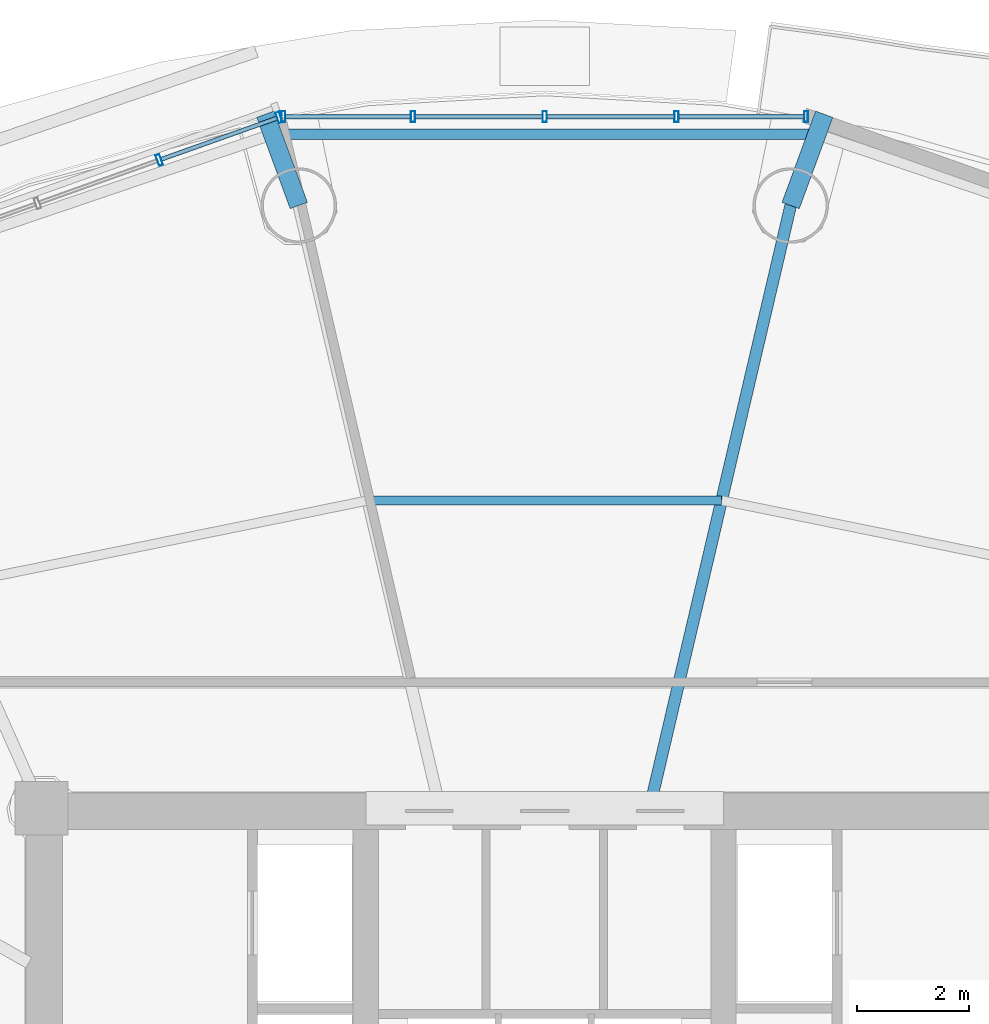
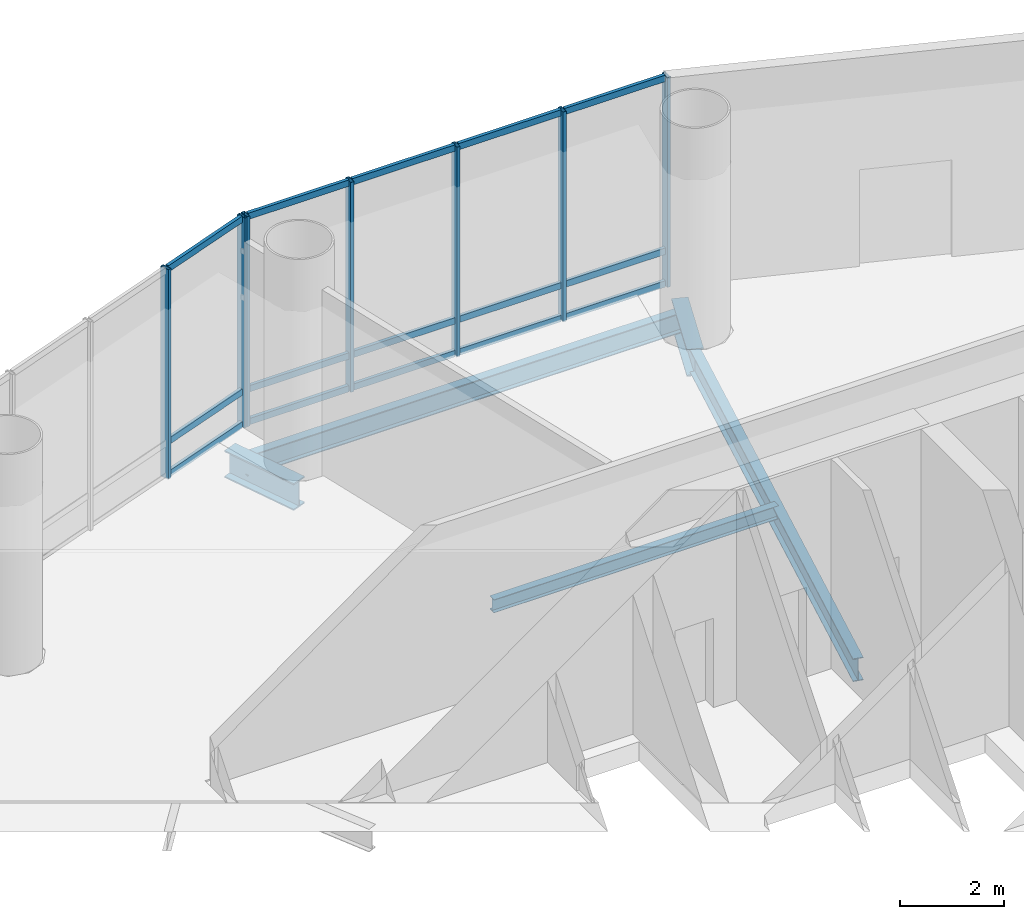
# One storey, part 16 of 29: 22 members, 5 beams, 2 elements without a shape of their own.
"""IFC4 building model written with IfcOpenShell, lengths in metres."""

from ifc_helpers import new_model, si_unit, direction, frame, origin, origin_2d, place, context, subcontext, project, spatial, hollow_rectangle, i_section, extrude, source, transform, mapped, material, material_profile, profile_set, type_object, element, aggregate, save


model = new_model("IFC4")

# Units and contexts
model_context = context("Model", 3, precision=1e-05, world=origin(), true_north=direction((-0.2419218956, 0.970295726276)))
body_context = subcontext(model_context, "Body", "Model", "MODEL_VIEW")
ifc_project = project(units=[si_unit("LENGTHUNIT", "METRE"), si_unit("AREAUNIT", "SQUARE_METRE"), si_unit("VOLUMEUNIT", "CUBIC_METRE"), si_unit("PLANEANGLEUNIT", "RADIAN"), si_unit("MASSUNIT", "GRAM", prefix="KILO")], contexts=[model_context])

# Site, building, storey
site_placement = place(None, origin())
site = spatial("IfcSite", under=ifc_project, at=site_placement, CompositionType="ELEMENT")
building_placement = place(site_placement, origin())
building = spatial("IfcBuilding", under=site, at=building_placement, Name="Cobrevalo Terracotta Tower", CompositionType="ELEMENT")
storey_placement = place(building_placement, frame((0.0, 0.0, 130.199951171875)))
storey = spatial("IfcBuildingStorey", under=building, at=storey_placement, Name="L34", CompositionType="ELEMENT", Elevation=130.199951171875)

# Beams
ifc_material_1 = material(Name="Steel S355", Category="steel")
ifc_material_profile_1 = material_profile(ifc_material_1, i_section(OverallWidth=0.2109375, OverallDepth=0.5390625, WebThickness=0.01171875, FlangeThickness=0.018798828125, at=origin_2d()), Name="W 530x109")
ifc_profile_set_1 = profile_set([ifc_material_profile_1], Name="Steel S355")
beam_type_1 = type_object("IfcBeamType", Name="Structural Beam W 530x109 (Steel S355)", PredefinedType="BEAM", material=ifc_profile_set_1)
beam_1_placement = place(storey_placement, frame((42.399169921875, 45.58203125, -0.719482421875), z_axis=(-0.228043508766, -0.973650942643, 0.0), x_axis=(0.973650942643, -0.228043508766, 0.0)))
element("IfcBeam", 1, at=beam_1_placement, inside=storey, type_object=beam_type_1, Name="L34 radial floor girder 04", PredefinedType="BEAM", context=body_context, shape_type="SweptSolid", body=[
    extrude(i_section(OverallWidth=0.2109375, OverallDepth=0.5390625, WebThickness=0.01171875, FlangeThickness=0.018798828125, at=origin_2d()), origin(), (0.0, 0.0, 1.0), 10.837646484375),
])
ifc_material_profile_2 = material_profile(ifc_material_1, i_section(OverallWidth=0.3291015625, OverallDepth=0.635009765625, WebThickness=0.017822265625, FlangeThickness=0.031005859375, at=origin_2d()), Name="W 610x241")
ifc_profile_set_2 = profile_set([ifc_material_profile_2], Name="Steel S355")
beam_type_2 = type_object("IfcBeamType", Name="Structural Beam W 610x241 (Steel S355)", PredefinedType="BEAM", material=ifc_profile_set_2)
for number, where, z_axis, x_axis, name in (
    (2, (42.99853515625, 47.2138671875, -0.767333984375), (-0.344774532192, -0.938685528786, 0.0), (0.938685528786, -0.344774532192, 0.0), "L34 setback step-link girder 04"),
    (3, (33.00146484375, 47.2138671875, -0.767333984375), (0.344774532192, -0.938685528786, 0.0), (0.938685528786, 0.344774532192, 0.0), "L34 setback step-link girder 05"),
):
    element("IfcBeam", number, at=place(storey_placement, frame(where, z_axis=z_axis, x_axis=x_axis)), inside=storey, type_object=beam_type_2, Name=name, PredefinedType="BEAM", context=body_context, shape_type="SweptSolid", body=[
        extrude(i_section(OverallWidth=0.3291015625, OverallDepth=0.635009765625, WebThickness=0.017822265625, FlangeThickness=0.031005859375, at=origin_2d()), origin(), (0.0, 0.0, 1.0), 1.738525390625),
    ])
ifc_material_profile_3 = material_profile(ifc_material_1, i_section(OverallWidth=0.1650390625, OverallDepth=0.31005859375, WebThickness=0.005859375, FlangeThickness=0.009765625, at=origin_2d()), Name="W 310x38.7")
ifc_profile_set_3 = profile_set([ifc_material_profile_3], Name="Steel S355")
beam_type_3 = type_object("IfcBeamType", Name="Structural Joist W 310x38.7 (Steel S355)", PredefinedType="JOIST", material=ifc_profile_set_3)
beam_2_placement = place(storey_placement, frame((41.16357421875, 40.305908203125, -0.60498046875), z_axis=(-1.0, 0.0, 0.0), x_axis=(0.0, -1.0, 0.0)))
element("IfcBeam", 4, at=beam_2_placement, inside=storey, type_object=beam_type_3, Name="L34 circumferential secondary floor joist 04", PredefinedType="JOIST", context=body_context, shape_type="SweptSolid", body=[
    extrude(i_section(OverallWidth=0.1650390625, OverallDepth=0.31005859375, WebThickness=0.005859375, FlangeThickness=0.009765625, at=origin_2d()), origin(), (0.0, 0.0, 1.0), 6.3271484375),
])
ifc_material_profile_4 = material_profile(ifc_material_1, i_section(OverallWidth=0.194091796875, OverallDepth=0.468994140625, WebThickness=0.011474609375, FlangeThickness=0.0205078125, at=origin_2d()), Name="W 460x106")
ifc_profile_set_4 = profile_set([ifc_material_profile_4], Name="Steel S355")
beam_type_4 = type_object("IfcBeamType", Name="Structural Spandrel W 460x106 (Steel S355)", PredefinedType="SPANDREL", material=ifc_profile_set_4)
beam_3_placement = place(storey_placement, frame((42.867431640625, 46.857177734375, -0.6845703125), z_axis=(-1.0, 0.0, 0.0), x_axis=(0.0, -1.0, 0.0)))
element("IfcBeam", 5, at=beam_3_placement, inside=storey, type_object=beam_type_4, Name="L34 perimeter ring spandrel 04", PredefinedType="SPANDREL", context=body_context, shape_type="SweptSolid", body=[
    extrude(i_section(OverallWidth=0.194091796875, OverallDepth=0.468994140625, WebThickness=0.011474609375, FlangeThickness=0.0205078125, at=origin_2d()), origin(), (0.0, 0.0, 1.0), 9.73486328125),
])

# Curtain wall, members
ifc_material_2 = material(Name="Anodized aluminium", Category="aluminium")
curtain_wall_type = type_object("IfcCurtainWallType", Name="Double-height sky-lobby panoramic curtain wall CW-SK", PredefinedType="NOTDEFINED", material=ifc_material_2)
curtain_wall_1_placement = place(storey_placement, origin())
curtain_wall_1 = element("IfcCurtainWall", 6, at=curtain_wall_1_placement, inside=storey, type_object=curtain_wall_type, Name="L34 curtain wall CW-SK-L34-S04", PredefinedType="NOTDEFINED")
ifc_material_profile_5 = material_profile(ifc_material_2, hollow_rectangle(XDim=0.074951171875, YDim=0.199951171875, WallThickness=0.0048828125, at=origin_2d()), Name="CWM 75x200")
ifc_profile_set_5 = profile_set([ifc_material_profile_5], Name="Anodized aluminium")
member_type_1 = type_object("IfcMemberType", Name="Lower/mid tower unitised mullion 75x200", PredefinedType="MULLION", material=ifc_profile_set_5)
shared_shape_1 = source(origin(), body_context, "Body", "SweptSolid", [
    extrude(hollow_rectangle(XDim=0.074951171875, YDim=0.199951171875, WallThickness=0.0048828125, at=origin_2d()), origin(), (0.0, 0.0, 1.0), 4.929931640625),
])
member_1_placement = place(storey_placement, frame((42.67529296875, 47.1708984375, 0.0), z_axis=(0.0, 0.0, 1.0), x_axis=(-1.0, 0.0, 0.0)))
member_1 = element("IfcMember", 7, at=member_1_placement, type_object=member_type_1, Name="CW-SK-L34-S04 vertical mullion 01", PredefinedType="MULLION", context=body_context, shape_type="MappedRepresentation", body=[
    mapped(shared_shape_1, transform((0.0, 0.0, 0.0), scale=1.0)),
])
member_2_placement = place(storey_placement, frame((40.357666015625, 47.1708984375, 0.0), z_axis=(0.0, 0.0, 1.0), x_axis=(-1.0, 0.0, 0.0)))
member_2 = element("IfcMember", 8, at=member_2_placement, type_object=member_type_1, Name="CW-SK-L34-S04 vertical mullion 02", PredefinedType="MULLION", context=body_context, shape_type="MappedRepresentation", body=[
    mapped(shared_shape_1, transform((0.0, 0.0, 0.0), scale=1.0)),
])
member_3_placement = place(storey_placement, frame((38.0, 47.1708984375, 0.0), z_axis=(0.0, 0.0, 1.0), x_axis=(-1.0, 0.0, 0.0)))
member_3 = element("IfcMember", 9, at=member_3_placement, type_object=member_type_1, Name="CW-SK-L34-S04 vertical mullion 03", PredefinedType="MULLION", context=body_context, shape_type="MappedRepresentation", body=[
    mapped(shared_shape_1, transform((0.0, 0.0, 0.0), scale=1.0)),
])
member_4_placement = place(storey_placement, frame((35.642333984375, 47.1708984375, 0.0), z_axis=(0.0, 0.0, 1.0), x_axis=(-1.0, 0.0, 0.0)))
member_4 = element("IfcMember", 10, at=member_4_placement, type_object=member_type_1, Name="CW-SK-L34-S04 vertical mullion 04", PredefinedType="MULLION", context=body_context, shape_type="MappedRepresentation", body=[
    mapped(shared_shape_1, transform((0.0, 0.0, 0.0), scale=1.0)),
])
member_5_placement = place(storey_placement, frame((33.32470703125, 47.1708984375, 0.0), z_axis=(0.0, 0.0, 1.0), x_axis=(-1.0, 0.0, 0.0)))
member_5 = element("IfcMember", 11, at=member_5_placement, type_object=member_type_1, Name="CW-SK-L34-S04 vertical mullion 05", PredefinedType="MULLION", context=body_context, shape_type="MappedRepresentation", body=[
    mapped(shared_shape_1, transform((0.0, 0.0, 0.0), scale=1.0)),
])

curtain_wall_2_placement = place(storey_placement, origin())
curtain_wall_2 = element("IfcCurtainWall", 12, at=curtain_wall_2_placement, inside=storey, type_object=curtain_wall_type, Name="L34 curtain wall CW-SK-L34-S05", PredefinedType="NOTDEFINED")
member_6_placement = place(storey_placement, frame((33.2470703125, 47.157470703125, 0.0), z_axis=(0.0, 0.0, 1.0), x_axis=(-0.942098428897, -0.335336473217, 0.0)))
member_6 = element("IfcMember", 13, at=member_6_placement, type_object=member_type_1, Name="CW-SK-L34-S05 vertical mullion 01", PredefinedType="MULLION", context=body_context, shape_type="MappedRepresentation", body=[
    mapped(shared_shape_1, transform((0.0, 0.0, 0.0), scale=1.0)),
])
member_7_placement = place(storey_placement, frame((31.1064453125, 46.3955078125, 0.0), z_axis=(0.0, 0.0, 1.0), x_axis=(-0.942098428897, -0.335336473217, 0.0)))
member_7 = element("IfcMember", 14, at=member_7_placement, type_object=member_type_1, Name="CW-SK-L34-S05 vertical mullion 02", PredefinedType="MULLION", context=body_context, shape_type="MappedRepresentation", body=[
    mapped(shared_shape_1, transform((0.0, 0.0, 0.0), scale=1.0)),
])

# Member
ifc_material_profile_6 = material_profile(ifc_material_2, hollow_rectangle(XDim=0.074951171875, YDim=0.14990234375, WallThickness=0.00439453125, at=origin_2d()), Name="CWT 75x150")
ifc_profile_set_6 = profile_set([ifc_material_profile_6], Name="Anodized aluminium")
member_type_2 = type_object("IfcMemberType", Name="Tower unitised aluminium transom 75x150", PredefinedType="USERDEFINED", material=ifc_profile_set_6)
shared_shape_2 = source(origin(), body_context, "Body", "SweptSolid", [
    extrude(hollow_rectangle(XDim=0.074951171875, YDim=0.14990234375, WallThickness=0.00439453125, at=origin_2d()), origin(), (0.0, 0.0, 1.0), 2.237548828125),
])
member_8_placement = place(storey_placement, frame((42.63525390625, 47.1708984375, 0.050048828125), z_axis=(-1.0, 0.0, 0.0), x_axis=(0.0, -1.0, 0.0)))
member_8 = element("IfcMember", 15, at=member_8_placement, type_object=member_type_2, Name="CW-SK-L34-S04 transom B01-T1", ObjectType="TRANSOM", PredefinedType="USERDEFINED", context=body_context, shape_type="MappedRepresentation", body=[
    mapped(shared_shape_2, transform((0.0, 0.0, 0.0), scale=1.0)),
])

member_9_placement = place(storey_placement, frame((42.63525390625, 47.1708984375, 0.820068359375), z_axis=(-1.0, 0.0, 0.0), x_axis=(0.0, -1.0, 0.0)))
member_9 = element("IfcMember", 16, at=member_9_placement, type_object=member_type_2, Name="CW-SK-L34-S04 transom B01-T2", ObjectType="TRANSOM", PredefinedType="USERDEFINED", context=body_context, shape_type="MappedRepresentation", body=[
    mapped(shared_shape_2, transform((0.0, 0.0, 0.0), scale=1.0)),
])

member_10_placement = place(storey_placement, frame((42.63525390625, 47.1708984375, 4.880126953125), z_axis=(-1.0, 0.0, 0.0), x_axis=(0.0, -1.0, 0.0)))
member_10 = element("IfcMember", 17, at=member_10_placement, type_object=member_type_2, Name="CW-SK-L34-S04 transom B01-T3", ObjectType="TRANSOM", PredefinedType="USERDEFINED", context=body_context, shape_type="MappedRepresentation", body=[
    mapped(shared_shape_2, transform((0.0, 0.0, 0.0), scale=1.0)),
])

member_11_placement = place(storey_placement, frame((35.602294921875, 47.1708984375, 0.050048828125), z_axis=(-1.0, 0.0, 0.0), x_axis=(0.0, -1.0, 0.0)))
member_11 = element("IfcMember", 18, at=member_11_placement, type_object=member_type_2, Name="CW-SK-L34-S04 transom B04-T1", ObjectType="TRANSOM", PredefinedType="USERDEFINED", context=body_context, shape_type="MappedRepresentation", body=[
    mapped(shared_shape_2, transform((0.0, 0.0, 0.0), scale=1.0)),
])

member_12_placement = place(storey_placement, frame((35.602294921875, 47.1708984375, 0.820068359375), z_axis=(-1.0, 0.0, 0.0), x_axis=(0.0, -1.0, 0.0)))
member_12 = element("IfcMember", 19, at=member_12_placement, type_object=member_type_2, Name="CW-SK-L34-S04 transom B04-T2", ObjectType="TRANSOM", PredefinedType="USERDEFINED", context=body_context, shape_type="MappedRepresentation", body=[
    mapped(shared_shape_2, transform((0.0, 0.0, 0.0), scale=1.0)),
])

member_13_placement = place(storey_placement, frame((35.602294921875, 47.1708984375, 4.880126953125), z_axis=(-1.0, 0.0, 0.0), x_axis=(0.0, -1.0, 0.0)))
member_13 = element("IfcMember", 20, at=member_13_placement, type_object=member_type_2, Name="CW-SK-L34-S04 transom B04-T3", ObjectType="TRANSOM", PredefinedType="USERDEFINED", context=body_context, shape_type="MappedRepresentation", body=[
    mapped(shared_shape_2, transform((0.0, 0.0, 0.0), scale=1.0)),
])

shared_shape_3 = source(origin(), body_context, "Body", "SweptSolid", [
    extrude(hollow_rectangle(XDim=0.074951171875, YDim=0.14990234375, WallThickness=0.00439453125, at=origin_2d()), origin(), (0.0, 0.0, 1.0), 2.277587890625),
])
member_14_placement = place(storey_placement, frame((40.317626953125, 47.1708984375, 0.050048828125), z_axis=(-1.0, 0.0, 0.0), x_axis=(0.0, -1.0, 0.0)))
member_14 = element("IfcMember", 21, at=member_14_placement, type_object=member_type_2, Name="CW-SK-L34-S04 transom B02-T1", ObjectType="TRANSOM", PredefinedType="USERDEFINED", context=body_context, shape_type="MappedRepresentation", body=[
    mapped(shared_shape_3, transform((0.0, 0.0, 0.0), scale=1.0)),
])

member_15_placement = place(storey_placement, frame((40.317626953125, 47.1708984375, 0.820068359375), z_axis=(-1.0, 0.0, 0.0), x_axis=(0.0, -1.0, 0.0)))
member_15 = element("IfcMember", 22, at=member_15_placement, type_object=member_type_2, Name="CW-SK-L34-S04 transom B02-T2", ObjectType="TRANSOM", PredefinedType="USERDEFINED", context=body_context, shape_type="MappedRepresentation", body=[
    mapped(shared_shape_3, transform((0.0, 0.0, 0.0), scale=1.0)),
])

member_16_placement = place(storey_placement, frame((40.317626953125, 47.1708984375, 4.880126953125), z_axis=(-1.0, 0.0, 0.0), x_axis=(0.0, -1.0, 0.0)))
member_16 = element("IfcMember", 23, at=member_16_placement, type_object=member_type_2, Name="CW-SK-L34-S04 transom B02-T3", ObjectType="TRANSOM", PredefinedType="USERDEFINED", context=body_context, shape_type="MappedRepresentation", body=[
    mapped(shared_shape_3, transform((0.0, 0.0, 0.0), scale=1.0)),
])

member_17_placement = place(storey_placement, frame((37.9599609375, 47.1708984375, 0.050048828125), z_axis=(-1.0, 0.0, 0.0), x_axis=(0.0, -1.0, 0.0)))
member_17 = element("IfcMember", 24, at=member_17_placement, type_object=member_type_2, Name="CW-SK-L34-S04 transom B03-T1", ObjectType="TRANSOM", PredefinedType="USERDEFINED", context=body_context, shape_type="MappedRepresentation", body=[
    mapped(shared_shape_3, transform((0.0, 0.0, 0.0), scale=1.0)),
])

member_18_placement = place(storey_placement, frame((37.9599609375, 47.1708984375, 0.820068359375), z_axis=(-1.0, 0.0, 0.0), x_axis=(0.0, -1.0, 0.0)))
member_18 = element("IfcMember", 25, at=member_18_placement, type_object=member_type_2, Name="CW-SK-L34-S04 transom B03-T2", ObjectType="TRANSOM", PredefinedType="USERDEFINED", context=body_context, shape_type="MappedRepresentation", body=[
    mapped(shared_shape_3, transform((0.0, 0.0, 0.0), scale=1.0)),
])

member_19_placement = place(storey_placement, frame((37.9599609375, 47.1708984375, 4.880126953125), z_axis=(-1.0, 0.0, 0.0), x_axis=(0.0, -1.0, 0.0)))
member_19 = element("IfcMember", 26, at=member_19_placement, type_object=member_type_2, Name="CW-SK-L34-S04 transom B03-T3", ObjectType="TRANSOM", PredefinedType="USERDEFINED", context=body_context, shape_type="MappedRepresentation", body=[
    mapped(shared_shape_3, transform((0.0, 0.0, 0.0), scale=1.0)),
])

aggregate(curtain_wall_1, [member_1, member_2, member_3, member_4, member_5, member_8, member_9, member_10, member_14, member_15, member_16, member_17, member_18, member_19, member_11, member_12, member_13])

shared_shape_4 = source(origin(), body_context, "Body", "SweptSolid", [
    extrude(hollow_rectangle(XDim=0.074951171875, YDim=0.14990234375, WallThickness=0.00439453125, at=origin_2d()), origin(), (0.0, 0.0, 1.0), 2.192138671875),
])
member_20_placement = place(storey_placement, frame((33.209228515625, 47.14404296875, 0.050048828125), z_axis=(-0.942096668248, -0.335341419564, 0.0), x_axis=(0.335341419564, -0.942096668248, 0.0)))
member_20 = element("IfcMember", 27, at=member_20_placement, type_object=member_type_2, Name="CW-SK-L34-S05 transom B01-T1", ObjectType="TRANSOM", PredefinedType="USERDEFINED", context=body_context, shape_type="MappedRepresentation", body=[
    mapped(shared_shape_4, transform((0.0, 0.0, 0.0), scale=1.0)),
])

member_21_placement = place(storey_placement, frame((33.209228515625, 47.14404296875, 0.820068359375), z_axis=(-0.942096668248, -0.335341419564, 0.0), x_axis=(0.335341419564, -0.942096668248, 0.0)))
member_21 = element("IfcMember", 28, at=member_21_placement, type_object=member_type_2, Name="CW-SK-L34-S05 transom B01-T2", ObjectType="TRANSOM", PredefinedType="USERDEFINED", context=body_context, shape_type="MappedRepresentation", body=[
    mapped(shared_shape_4, transform((0.0, 0.0, 0.0), scale=1.0)),
])

member_22_placement = place(storey_placement, frame((33.209228515625, 47.14404296875, 4.880126953125), z_axis=(-0.942096668248, -0.335341419564, 0.0), x_axis=(0.335341419564, -0.942096668248, 0.0)))
member_22 = element("IfcMember", 29, at=member_22_placement, type_object=member_type_2, Name="CW-SK-L34-S05 transom B01-T3", ObjectType="TRANSOM", PredefinedType="USERDEFINED", context=body_context, shape_type="MappedRepresentation", body=[
    mapped(shared_shape_4, transform((0.0, 0.0, 0.0), scale=1.0)),
])

aggregate(curtain_wall_2, [member_6, member_7, member_20, member_21, member_22])

save(model, "model.ifc")
